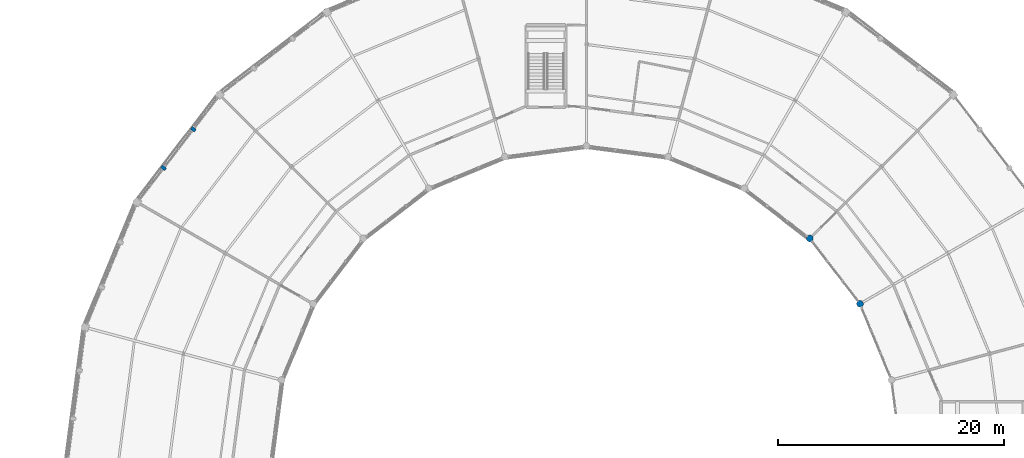
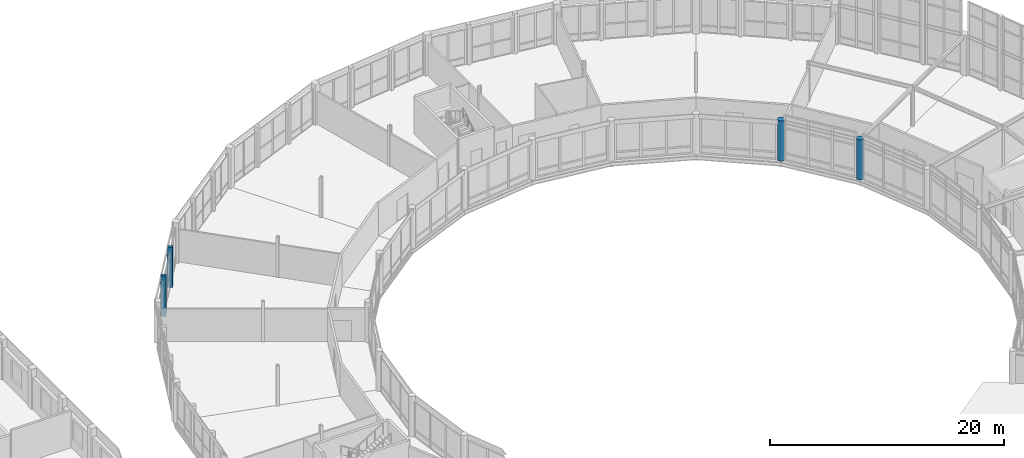
# One storey, part 11 of 185: 4 columns.
"""IFC4 building model written with IfcOpenShell, lengths in metres."""

from ifc_helpers import new_model, si_unit, direction, frame, origin, origin_2d, place, context, subcontext, project, spatial, rectangle, circle, extrude, material, material_profile, profile_set, type_object, element, save


model = new_model("IFC4")

# Units and contexts
model_context = context("Model", 3, precision=1e-05, world=origin(), true_north=direction((0.0, 1.0)))
body_context = subcontext(model_context, "Body", "Model", "MODEL_VIEW")
ifc_project = project(units=[si_unit("LENGTHUNIT", "METRE"), si_unit("AREAUNIT", "SQUARE_METRE"), si_unit("VOLUMEUNIT", "CUBIC_METRE"), si_unit("PLANEANGLEUNIT", "RADIAN"), si_unit("MASSUNIT", "GRAM", prefix="KILO")], contexts=[model_context])

# Site, building, storey
site_placement = place(None, origin())
site = spatial("IfcSite", under=ifc_project, at=site_placement, CompositionType="ELEMENT")
building_placement = place(site_placement, origin())
building = spatial("IfcBuilding", under=site, at=building_placement, Name="Vondelvale Polytechnic", CompositionType="ELEMENT")
storey_placement = place(building_placement, frame((0.0, 0.0, 9.60009765625)))
storey = spatial("IfcBuildingStorey", under=building, at=storey_placement, Name="L02", CompositionType="ELEMENT", Elevation=9.60009765625)

# Columns
ifc_material_1 = material(Name="Glulam GL18 structural Tasmanian oak (fb = 42 MPa)", Category="wood")
ifc_material_profile_1 = material_profile(ifc_material_1, rectangle(XDim=0.300048828125, YDim=0.449951171875, at=origin_2d()), Name="GL-POST-300x450")
ifc_profile_set_1 = profile_set([ifc_material_profile_1], Name="Glulam GL18 structural Tasmanian oak (fb = 42 MPa)")
column_type_1 = type_object("IfcColumnType", Name="COL-GLULAM-300x450", PredefinedType="PILASTER", material=ifc_profile_set_1)
for number, where, z_axis, x_axis, name in (
    (1, (67.1337890625, 101.478271484375, 0.0), (0.0, 0.0, 1.0), (0.608761429009, 0.793353340291, 0.0), "L02 ring outer glulam timber post C09-P1"),
    (2, (64.502197265625, 98.048583984375, 0.0), (0.0, 0.0, 1.0), (0.608761429009, 0.793353340291, 0.0), "L02 ring outer glulam timber post C09-P2"),
):
    element("IfcColumn", number, at=place(storey_placement, frame(where, z_axis=z_axis, x_axis=x_axis)), inside=storey, type_object=column_type_1, Name=name, PredefinedType="PILASTER", context=body_context, shape_type="SweptSolid", body=[
        extrude(rectangle(XDim=0.300048828125, YDim=0.449951171875, at=origin_2d()), origin(), (0.0, 0.0, 1.0), 4.199951171875),
    ])
ifc_material_2 = material(Name="Concrete N50 (f'c = 50 MPa)", Category="concrete")
ifc_material_profile_2 = material_profile(ifc_material_2, circle(Radius=0.300048828125, at=origin_2d()), Name="RC-COL-D600")
ifc_profile_set_2 = profile_set([ifc_material_profile_2], Name="Concrete N50 (f'c = 50 MPa)")
column_type_2 = type_object("IfcColumnType", Name="COL-RCD600", PredefinedType="COLUMN", material=ifc_profile_set_2)
for number, where, z_axis, x_axis, name in (
    (3, (126.248779296875, 86.0, 0.0), (0.0, 0.0, 1.0), (0.866025403784, 0.5, 0.0), "L02 courtyard ring column S02-RI"),
    (4, (121.799072265625, 91.799072265625, 0.0), (0.0, 0.0, 1.0), (0.707106781187, 0.707106781187, 0.0), "L02 courtyard ring column S03-RI"),
):
    element("IfcColumn", number, at=place(storey_placement, frame(where, z_axis=z_axis, x_axis=x_axis)), inside=storey, type_object=column_type_2, Name=name, PredefinedType="COLUMN", context=body_context, shape_type="SweptSolid", body=[
        extrude(circle(Radius=0.300048828125, at=origin_2d()), origin(), (0.0, 0.0, 1.0), 4.199951171875),
    ])

save(model, "model.ifc")
